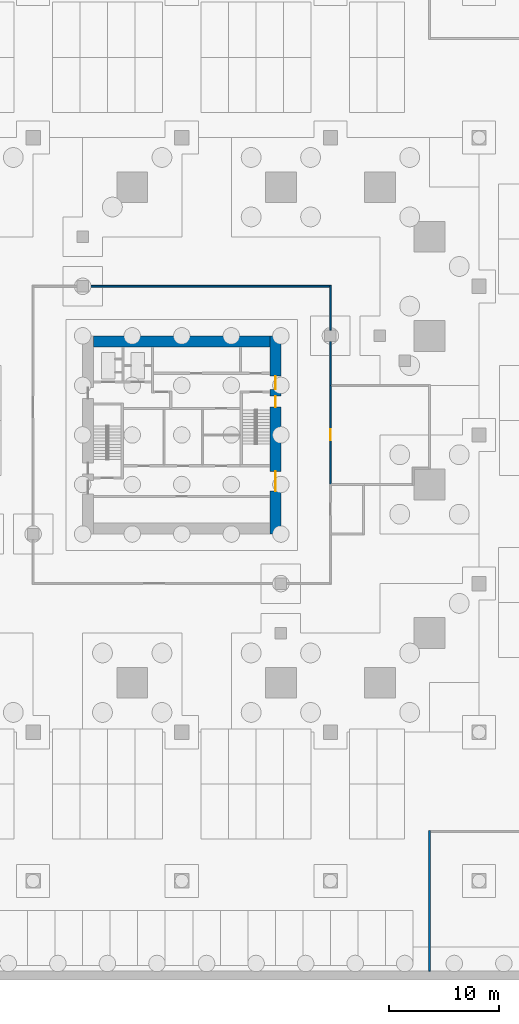
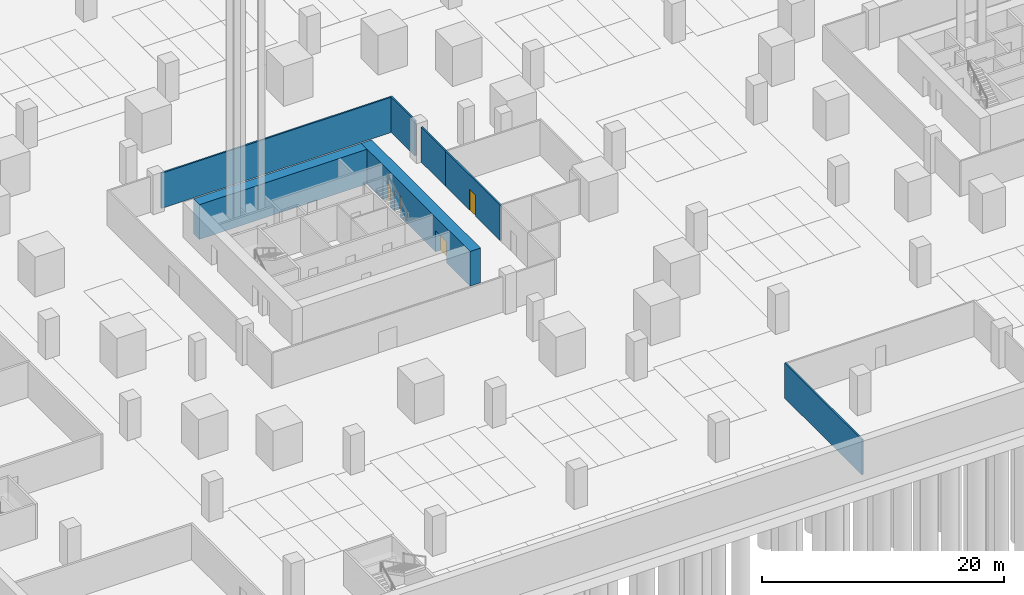
# One storey, part 7 of 40: 7 walls, 4 doors, 4 openings.
"""IFC4 building model written with IfcOpenShell, lengths in metres."""

from ifc_helpers import new_model, si_unit, direction, frame, frame_2d, origin, place, context, subcontext, project, spatial, rectangle, extrude, material, layer, layer_set, type_object, element, fill, save


model = new_model("IFC4")

# Units and contexts
model_context = context("Model", 3, precision=1e-05, world=origin(), true_north=direction((0.0, 1.0)))
body_context = subcontext(model_context, "Body", "Model", "MODEL_VIEW")
ifc_project = project(units=[si_unit("LENGTHUNIT", "METRE"), si_unit("AREAUNIT", "SQUARE_METRE"), si_unit("VOLUMEUNIT", "CUBIC_METRE"), si_unit("PLANEANGLEUNIT", "RADIAN"), si_unit("MASSUNIT", "GRAM", prefix="KILO")], contexts=[model_context])

# Site, building, storey
site_placement = place(None, origin())
site = spatial("IfcSite", under=ifc_project, at=site_placement, CompositionType="ELEMENT")
building_placement = place(site_placement, origin())
building = spatial("IfcBuilding", under=site, at=building_placement, Name="Altepetl Exchange Towers", CompositionType="ELEMENT")
storey_placement = place(building_placement, frame((0.0, 0.0, -8.0)))
storey = spatial("IfcBuildingStorey", under=building, at=storey_placement, Name="B2 Basement parking", CompositionType="ELEMENT", Elevation=-8.0)

# Wall, openings, doors
ifc_material_1 = material(Name="Concrete C70/85", Category="concrete")
ifc_layer_1 = layer(ifc_material_1, 1.0)
ifc_layer_set_1 = layer_set([ifc_layer_1], Name="Concrete C70/85")
wall_type_1 = type_object("IfcWallType", Name="Core wall 1000 reinforced concrete", PredefinedType="SHEAR", material=ifc_layer_set_1)
wall_1_placement = place(storey_placement, frame((58.0, 40.5, 0.0), z_axis=(0.0, 0.0, 1.0), x_axis=(0.0, 1.0, 0.0)))
wall_1 = element("IfcWall", 1, at=wall_1_placement, inside=storey, type_object=wall_type_1, Name="wall:A:B2:K-coreE", PredefinedType="SHEAR", context=body_context, shape_type="SweptSolid", body=[
    extrude(rectangle(XDim=18.0, YDim=1.0, at=frame_2d((9.0, 0.0))), origin(), (0.0, 0.0, 1.0), 3.5),
])
opening_1_placement = place(wall_1_placement, frame((13.14990234375, 0.0, 0.0)))
opening_1 = element("IfcOpeningElement", 2, at=opening_1_placement, cuts=wall_1, Name="Opening B2.A60", PredefinedType="OPENING", context=body_context, shape_type="SweptSolid", body=[
    extrude(rectangle(XDim=1.199951171875, YDim=2.10009765625, at=frame_2d((0.60009765625, 1.050048828125))), frame((0.0, 0.510009765625, 0.0), z_axis=(0.0, -1.0, 0.0), x_axis=(1.0, 0.0, 0.0)), (0.0, 0.0, 1.0), 1.02001953125),
])
opening_2_placement = place(wall_1_placement, frame((3.89990234375, 0.0, 0.0)))
opening_2 = element("IfcOpeningElement", 3, at=opening_2_placement, cuts=wall_1, Name="Opening B2.A61", PredefinedType="OPENING", context=body_context, shape_type="SweptSolid", body=[
    extrude(rectangle(XDim=1.800048828125, YDim=2.10009765625, at=frame_2d((0.89990234375, 1.050048828125))), frame((0.0, 0.510009765625, 0.0), z_axis=(0.0, -1.0, 0.0), x_axis=(1.0, 0.0, 0.0)), (0.0, 0.0, 1.0), 1.02001953125),
])
opening_3_placement = place(wall_1_placement, frame((11.52490234375, 0.0, 0.0)))
opening_3 = element("IfcOpeningElement", 4, at=opening_3_placement, cuts=wall_1, Name="Opening B2.A66", PredefinedType="OPENING", context=body_context, shape_type="SweptSolid", body=[
    extrude(rectangle(XDim=1.0, YDim=2.10009765625, at=frame_2d((0.5, 1.050048828125))), frame((0.0, 0.510009765625, 0.0), z_axis=(0.0, -1.0, 0.0), x_axis=(1.0, 0.0, 0.0)), (0.0, 0.0, 1.0), 1.02001953125),
])
ifc_material_2 = material(Name="Steel and timber fire door", Category="steel")
door_type_1 = type_object("IfcDoorType", Name="Fire door 1000 x 2100 stair and lobby", OperationType="SINGLE_SWING_LEFT", PredefinedType="DOOR", material=ifc_material_2)
door_1_placement = place(opening_3_placement, origin())
door_1 = element("IfcDoor", 5, at=door_1_placement, inside=storey, type_object=door_type_1, Name="door:A:B2:K-dS2x", OperationType="SINGLE_SWING_RIGHT", OverallHeight=2.10009765625, OverallWidth=1.0, PredefinedType="DOOR", context=body_context, shape_type="SweptSolid", body=[
    extrude(rectangle(XDim=1.0, YDim=2.10009765625, at=frame_2d((0.5, 1.050048828125))), frame((0.0, 0.02490234375, 0.0), z_axis=(0.0, -1.0, 0.0), x_axis=(1.0, 0.0, 0.0)), (0.0, 0.0, 1.0), 0.050048828125),
])
fill(opening_3, door_1)
door_type_2 = type_object("IfcDoorType", Name="Fire door 1200 x 2100 lobby entry", OperationType="SINGLE_SWING_LEFT", PredefinedType="DOOR", material=ifc_material_2)
door_2_placement = place(opening_1_placement, origin())
door_2 = element("IfcDoor", 6, at=door_2_placement, inside=storey, type_object=door_type_2, Name="door:A:B2:K-dLNE", OperationType="SINGLE_SWING_RIGHT", OverallHeight=2.10009765625, OverallWidth=1.199951171875, PredefinedType="DOOR", context=body_context, shape_type="SweptSolid", body=[
    extrude(rectangle(XDim=1.199951171875, YDim=2.10009765625, at=frame_2d((0.60009765625, 1.050048828125))), frame((0.0, 0.02490234375, 0.0), z_axis=(0.0, -1.0, 0.0), x_axis=(1.0, 0.0, 0.0)), (0.0, 0.0, 1.0), 0.050048828125),
])
fill(opening_1, door_2)
door_type_3 = type_object("IfcDoorType", Name="Fire door 1800 x 2100 lobby entry", OperationType="DOUBLE_DOOR_SINGLE_SWING", PredefinedType="DOOR", material=ifc_material_2)
door_3_placement = place(opening_2_placement, origin())
door_3 = element("IfcDoor", 7, at=door_3_placement, inside=storey, type_object=door_type_3, Name="door:A:B2:K-dLSE", OperationType="DOUBLE_DOOR_SINGLE_SWING", OverallHeight=2.10009765625, OverallWidth=1.800048828125, PredefinedType="DOOR", context=body_context, shape_type="SweptSolid", body=[
    extrude(rectangle(XDim=1.800048828125, YDim=2.10009765625, at=frame_2d((0.89990234375, 1.050048828125))), frame((0.0, 0.02490234375, 0.0), z_axis=(0.0, -1.0, 0.0), x_axis=(1.0, 0.0, 0.0)), (0.0, 0.0, 1.0), 0.050048828125),
])
fill(opening_2, door_3)

# Walls
wall_2_placement = place(storey_placement, frame((41.5, 58.0, 0.0)))
element("IfcWall", 8, at=wall_2_placement, inside=storey, type_object=wall_type_1, Name="wall:A:B2:K-coreN", PredefinedType="SHEAR", context=body_context, shape_type="SweptSolid", body=[
    extrude(rectangle(XDim=16.0, YDim=1.0, at=frame_2d((8.0, 0.0))), origin(), (0.0, 0.0, 1.0), 3.5),
])
ifc_material_3 = material(Name="Gypsum board on steel studs", Category="steel")
ifc_layer_2 = layer(ifc_material_3, 0.14990234375)
ifc_layer_set_2 = layer_set([ifc_layer_2], Name="Gypsum board on steel studs")
wall_type_2 = type_object("IfcWallType", Name="Podium partition 150", PredefinedType="PARTITIONING", material=ifc_layer_set_2)
wall_3_placement = place(storey_placement, frame((72.0, 0.800048828125, 0.0), z_axis=(0.0, 0.0, 1.0), x_axis=(0.0, 1.0, 0.0)))
element("IfcWall", 9, at=wall_3_placement, inside=storey, type_object=wall_type_2, Name="wall:P:B2:P011", PredefinedType="PARTITIONING", context=body_context, shape_type="SweptSolid", body=[
    extrude(rectangle(XDim=12.77490234375, YDim=0.14990234375, at=frame_2d((6.387451171875, 0.0))), origin(), (0.0, 0.0, 1.0), 3.550048828125),
])

# Wall, opening, door
wall_4_placement = place(storey_placement, frame((63.0, 44.925048828125, 0.0), z_axis=(0.0, 0.0, 1.0), x_axis=(0.0, 1.0, 0.0)))
wall_4 = element("IfcWall", 10, at=wall_4_placement, inside=storey, type_object=wall_type_2, Name="wall:P:B2:P029", PredefinedType="PARTITIONING", context=body_context, shape_type="SweptSolid", body=[
    extrude(rectangle(XDim=9.14990234375, YDim=0.14990234375, at=frame_2d((4.574951171875, 0.0))), origin(), (0.0, 0.0, 1.0), 3.550048828125),
])
opening_4_placement = place(wall_4_placement, frame((4.074951171875, 0.0, 0.0)))
opening_4 = element("IfcOpeningElement", 11, at=opening_4_placement, cuts=wall_4, Name="Opening B2.P010", PredefinedType="OPENING", context=body_context, shape_type="SweptSolid", body=[
    extrude(rectangle(XDim=1.0, YDim=2.10009765625, at=frame_2d((0.5, 1.050048828125))), frame((0.0, 0.0849609375, 0.0), z_axis=(0.0, -1.0, 0.0), x_axis=(1.0, 0.0, 0.0)), (0.0, 0.0, 1.0), 0.169921875),
])
door_type_4 = type_object("IfcDoorType", Name="Podium fire door 1000 x 2100 single leaf", OperationType="SINGLE_SWING_LEFT", PredefinedType="DOOR", material=ifc_material_2)
door_4_placement = place(opening_4_placement, frame((1.0, 0.0, 0.0), x_axis=(-1.0, 0.0, 0.0)))
door_4 = element("IfcDoor", 12, at=door_4_placement, inside=storey, type_object=door_type_4, Name="door:P:B2:010", OperationType="SINGLE_SWING_LEFT", OverallHeight=2.10009765625, OverallWidth=1.0, PredefinedType="DOOR", context=body_context, shape_type="SweptSolid", body=[
    extrude(rectangle(XDim=1.0, YDim=2.10009765625, at=frame_2d((0.5, 1.050048828125))), frame((0.0, 0.02490234375, 0.0), z_axis=(0.0, -1.0, 0.0), x_axis=(1.0, 0.0, 0.0)), (0.0, 0.0, 1.0), 0.050048828125),
])
fill(opening_4, door_4)

# Walls
wall_5_placement = place(storey_placement, frame((63.0, 54.0, 0.0), z_axis=(0.0, 0.0, 1.0), x_axis=(0.0, 1.0, 0.0)))
element("IfcWall", 13, at=wall_5_placement, inside=storey, type_object=wall_type_2, Name="wall:P:B2:P034", PredefinedType="PARTITIONING", context=body_context, shape_type="SweptSolid", body=[
    extrude(rectangle(XDim=3.97998046875, YDim=0.14990234375, at=frame_2d((1.989990234375, 0.0))), origin(), (0.0, 0.0, 1.0), 3.550048828125),
])
wall_6_placement = place(storey_placement, frame((63.0, 59.02001953125, 0.0), z_axis=(0.0, 0.0, 1.0), x_axis=(0.0, 1.0, 0.0)))
element("IfcWall", 14, at=wall_6_placement, inside=storey, type_object=wall_type_2, Name="wall:P:B2:P035", PredefinedType="PARTITIONING", context=body_context, shape_type="SweptSolid", body=[
    extrude(rectangle(XDim=4.054931640625, YDim=0.14990234375, at=frame_2d((2.02734375, 0.0))), origin(), (0.0, 0.0, 1.0), 3.550048828125),
])
wall_7_placement = place(storey_placement, frame((41.02001953125, 63.0, 0.0)))
element("IfcWall", 15, at=wall_7_placement, inside=storey, type_object=wall_type_2, Name="wall:P:B2:P039", PredefinedType="PARTITIONING", context=body_context, shape_type="SweptSolid", body=[
    extrude(rectangle(XDim=21.905029296875, YDim=0.14990234375, at=frame_2d((10.95263671875, 0.0))), origin(), (0.0, 0.0, 1.0), 3.550048828125),
])

save(model, "model.ifc")
